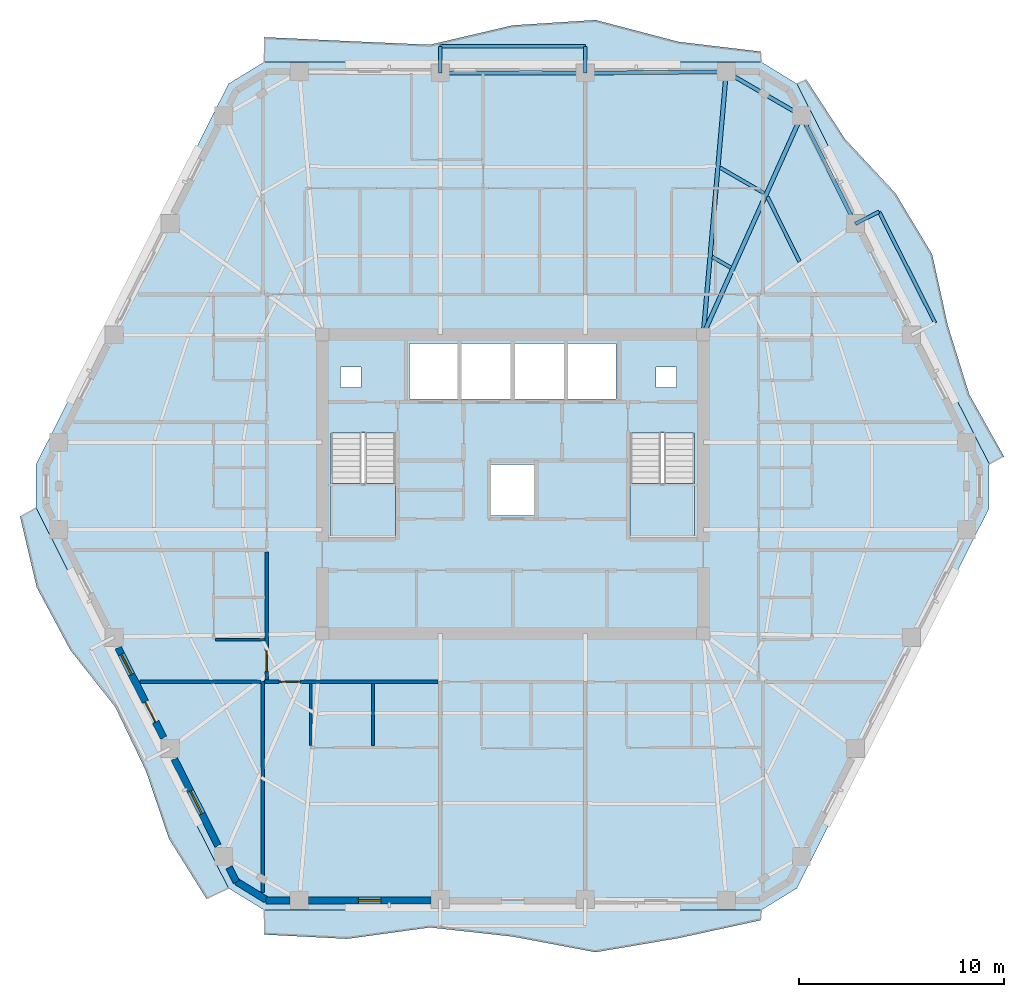
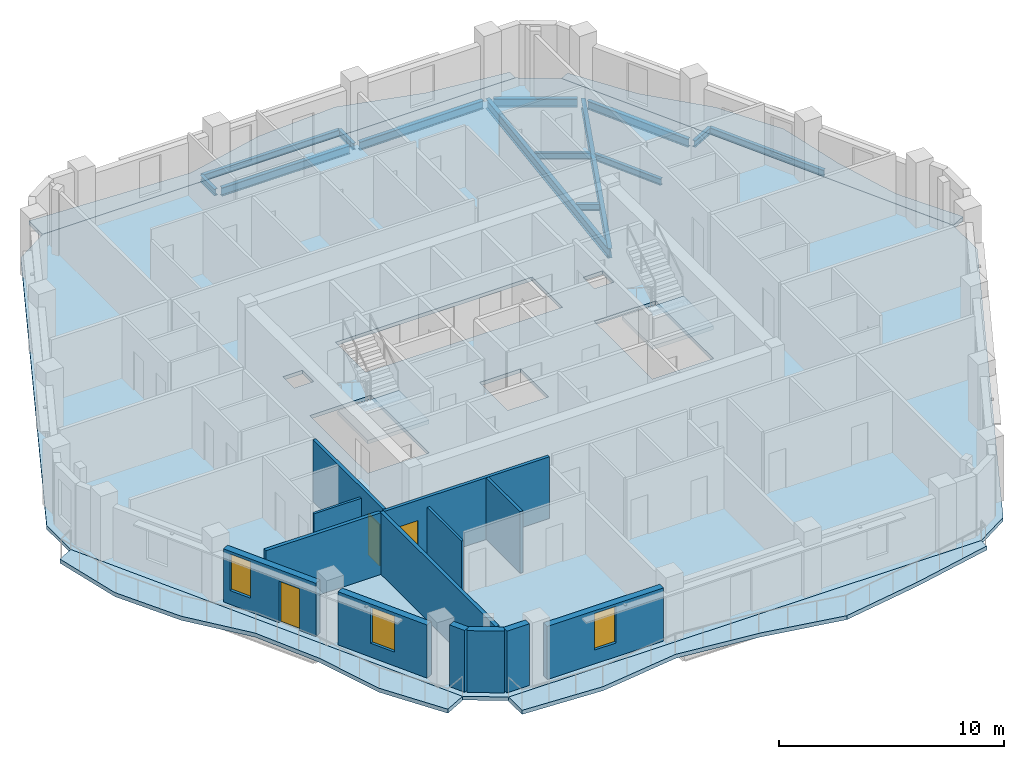
# One storey, part 3 of 11: 14 beams, 13 walls, 7 slabs, 3 doors, 3 windows, 6 openings, 2 elements without a shape of their own.
"""IFC4 building model written with IfcOpenShell, lengths in metres."""

from ifc_helpers import new_model, si_unit, direction, frame, frame_2d, origin, origin_2d, place, context, subcontext, project, spatial, polyline, rectangle, i_section, outline, extrude, material, layer, layer_set, material_profile, profile_set, type_object, element, fill, aggregate, save


model = new_model("IFC4")

# Units and contexts
model_context = context("Model", 3, precision=1e-05, world=origin(), true_north=direction((0.0, 1.0)))
body_context = subcontext(model_context, "Body", "Model", "MODEL_VIEW")
ifc_project = project(units=[si_unit("LENGTHUNIT", "METRE"), si_unit("AREAUNIT", "SQUARE_METRE"), si_unit("VOLUMEUNIT", "CUBIC_METRE"), si_unit("PLANEANGLEUNIT", "RADIAN"), si_unit("MASSUNIT", "GRAM", prefix="KILO")], contexts=[model_context])

# Site, building, storey
site_placement = place(None, origin())
site = spatial("IfcSite", under=ifc_project, at=site_placement, CompositionType="ELEMENT")
building_placement = place(site_placement, origin())
building = spatial("IfcBuilding", under=site, at=building_placement, Name="Cinnabar Lancet Tower", CompositionType="ELEMENT")
storey_placement = place(building_placement, frame((0.0, 0.0, 200.300048828125)))
storey = spatial("IfcBuildingStorey", under=building, at=storey_placement, Name="L53", CompositionType="ELEMENT", Elevation=200.300048828125)

# Beams
ifc_material_1 = material(Name="Structural steel S355", Category="steel")
ifc_material_profile_1 = material_profile(ifc_material_1, i_section(OverallWidth=0.17138671875, OverallDepth=0.35498046875, WebThickness=0.00732421875, FlangeThickness=0.011474609375, FilletRadius=0.01025390625, at=origin_2d()), Name="UKB 356x171x51")
ifc_profile_set_1 = profile_set([ifc_material_profile_1], Name="Structural steel S355")
beam_type_1 = type_object("IfcBeamType", Name="STR-BM-JST-356", PredefinedType="JOIST", material=ifc_profile_set_1)
beam_1_placement = place(storey_placement, frame((46.40087890625, 36.75, -0.3779296875), z_axis=(-0.444780091128, 0.895639810714, 0.0), x_axis=(-0.895639810714, -0.444780091128, 0.0)))
element("IfcBeam", 1, at=beam_1_placement, inside=storey, type_object=beam_type_1, Name="L53 Secondary Floor Joist 29", PredefinedType="JOIST", context=body_context, shape_type="SweptSolid", body=[
    extrude(i_section(OverallWidth=0.17138671875, OverallDepth=0.35498046875, WebThickness=0.00732421875, FlangeThickness=0.011474609375, FilletRadius=0.01025390625, at=origin_2d()), origin(), (0.0, 0.0, 1.0), 3.533935546875),
])
beam_2_placement = place(storey_placement, frame((44.677978515625, 40.089111328125, -0.3779296875), z_axis=(-0.865267839663, 0.501309849937, 0.0), x_axis=(-0.501309849937, -0.865267839663, 0.0)))
element("IfcBeam", 2, at=beam_2_placement, inside=storey, type_object=beam_type_1, Name="L53 Secondary Floor Joist 31", PredefinedType="JOIST", context=body_context, shape_type="SweptSolid", body=[
    extrude(i_section(OverallWidth=0.17138671875, OverallDepth=0.35498046875, WebThickness=0.00732421875, FlangeThickness=0.011474609375, FilletRadius=0.01025390625, at=origin_2d()), origin(), (0.0, 0.0, 1.0), 2.497314453125),
])
beam_3_placement = place(storey_placement, frame((43.047119140625, 36.45703125, -0.3779296875), z_axis=(-0.8651881055, 0.501447446998, 0.0), x_axis=(-0.501447446998, -0.8651881055, 0.0)))
element("IfcBeam", 3, at=beam_3_placement, inside=storey, type_object=beam_type_1, Name="L53 Secondary Floor Joist 32", PredefinedType="JOIST", context=body_context, shape_type="SweptSolid", body=[
    extrude(i_section(OverallWidth=0.17138671875, OverallDepth=0.35498046875, WebThickness=0.00732421875, FlangeThickness=0.011474609375, FilletRadius=0.01025390625, at=origin_2d()), origin(), (0.0, 0.0, 1.0), 1.05322265625),
])
ifc_material_2 = material(Name="Structural steel S355", Category="steel")
ifc_material_profile_2 = material_profile(ifc_material_2, i_section(OverallWidth=0.1904296875, OverallDepth=0.45703125, WebThickness=0.009033203125, FlangeThickness=0.014404296875, FilletRadius=0.01025390625, at=origin_2d()), Name="UKB 457x191x74")
ifc_profile_set_2 = profile_set([ifc_material_profile_2], Name="Structural steel S355")
beam_type_2 = type_object("IfcBeamType", Name="STR-BM-SPN-457", PredefinedType="SPANDREL", material=ifc_profile_set_2)
beam_4_placement = place(storey_placement, frame((49.008056640625, 38.822998046875, -0.428955078125), z_axis=(-0.444932986899, 0.895563865489, 0.0), x_axis=(-0.895563865489, -0.444932986899, 0.0)))
element("IfcBeam", 4, at=beam_4_placement, inside=storey, type_object=beam_type_2, Name="L53 Perimeter Spandrel 11", PredefinedType="SPANDREL", context=body_context, shape_type="SweptSolid", body=[
    extrude(i_section(OverallWidth=0.1904296875, OverallDepth=0.45703125, WebThickness=0.009033203125, FlangeThickness=0.014404296875, FilletRadius=0.01025390625, at=origin_2d()), origin(), (0.0, 0.0, 1.0), 5.398681640625),
])
beam_5_placement = place(storey_placement, frame((46.279052734375, 44.007080078125, -0.428955078125), z_axis=(-0.865195717586, 0.501434313016, 0.0), x_axis=(-0.501434313016, -0.865195717586, 0.0)))
element("IfcBeam", 5, at=beam_5_placement, inside=storey, type_object=beam_type_2, Name="L53 Perimeter Spandrel 12", PredefinedType="SPANDREL", context=body_context, shape_type="SweptSolid", body=[
    extrude(i_section(OverallWidth=0.1904296875, OverallDepth=0.45703125, WebThickness=0.009033203125, FlangeThickness=0.014404296875, FilletRadius=0.01025390625, at=origin_2d()), origin(), (0.0, 0.0, 1.0), 3.7470703125),
])
beam_6_placement = place(storey_placement, frame((42.571044921875, 46.009033203125, -0.428955078125), z_axis=(-0.999970401924, -0.007693846685, 0.0), x_axis=(0.007693846685, -0.999970401924, 0.0)))
element("IfcBeam", 6, at=beam_6_placement, inside=storey, type_object=beam_type_2, Name="L53 Perimeter Spandrel 13", PredefinedType="SPANDREL", context=body_context, shape_type="SweptSolid", body=[
    extrude(i_section(OverallWidth=0.1904296875, OverallDepth=0.45703125, WebThickness=0.009033203125, FlangeThickness=0.014404296875, FilletRadius=0.01025390625, at=origin_2d()), origin(), (0.0, 0.0, 1.0), 6.378173828125),
])
beam_7_placement = place(storey_placement, frame((35.693115234375, 45.9580078125, -0.428955078125), z_axis=(-1.0, 0.0, 0.0), x_axis=(0.0, -1.0, 0.0)))
element("IfcBeam", 7, at=beam_7_placement, inside=storey, type_object=beam_type_2, Name="L53 Perimeter Spandrel 14", PredefinedType="SPANDREL", context=body_context, shape_type="SweptSolid", body=[
    extrude(i_section(OverallWidth=0.1904296875, OverallDepth=0.45703125, WebThickness=0.009033203125, FlangeThickness=0.014404296875, FilletRadius=0.01025390625, at=origin_2d()), origin(), (0.0, 0.0, 1.0), 6.586181640625),
])
ifc_material_3 = material(Name="Structural steel S355", Category="steel")
ifc_material_profile_3 = material_profile(ifc_material_3, i_section(OverallWidth=0.209228515625, OverallDepth=0.533203125, WebThickness=0.010009765625, FlangeThickness=0.015625, FilletRadius=0.0126953125, at=origin_2d()), Name="UKB 533x210x92")
ifc_profile_set_3 = profile_set([ifc_material_profile_3], Name="Structural steel S355")
beam_type_3 = type_object("IfcBeamType", Name="STR-BM-UKB533-92", PredefinedType="BEAM", material=ifc_profile_set_3)
beam_8_placement = place(storey_placement, frame((46.4951171875, 43.882080078125, -0.467041015625), z_axis=(-0.409527011626, -0.912297992297, 0.0), x_axis=(0.912297992297, -0.409527011626, 0.0)))
element("IfcBeam", 8, at=beam_8_placement, inside=storey, type_object=beam_type_3, Name="L53 Primary Floor Girder 12", PredefinedType="BEAM", context=body_context, shape_type="SweptSolid", body=[
    extrude(i_section(OverallWidth=0.209228515625, OverallDepth=0.533203125, WebThickness=0.010009765625, FlangeThickness=0.015625, FilletRadius=0.0126953125, at=origin_2d()), origin(), (0.0, 0.0, 1.0), 11.708984375),
])
beam_9_placement = place(storey_placement, frame((42.821044921875, 46.010986328125, -0.467041015625), z_axis=(-0.087176841412, -0.996192851973, 0.0), x_axis=(0.996192851973, -0.087176841412, 0.0)))
element("IfcBeam", 9, at=beam_9_placement, inside=storey, type_object=beam_type_3, Name="L53 Primary Floor Girder 13", PredefinedType="BEAM", context=body_context, shape_type="SweptSolid", body=[
    extrude(i_section(OverallWidth=0.209228515625, OverallDepth=0.533203125, WebThickness=0.010009765625, FlangeThickness=0.015625, FilletRadius=0.0126953125, at=origin_2d()), origin(), (0.0, 0.0, 1.0), 12.860107421875),
])
ifc_material_4 = material(Name="Structural steel S355", Category="steel")
ifc_material_profile_4 = material_profile(ifc_material_4, i_section(OverallWidth=0.17138671875, OverallDepth=0.35498046875, WebThickness=0.00732421875, FlangeThickness=0.011474609375, FilletRadius=0.01025390625, at=origin_2d()), Name="UKB 356x171x51")
ifc_profile_set_4 = profile_set([ifc_material_profile_4], Name="Structural steel S355")
beam_type_4 = type_object("IfcBeamType", Name="STR-BM-WAV-OUT", PredefinedType="BEAM", material=ifc_profile_set_4)
for number, where, z_axis, x_axis, name in (
    (10, (49.118896484375, 38.59912109375, -0.39697265625), (0.892314203325, 0.451414845285, 0.0), (-0.451414845285, 0.892314203325, 0.0), "L53 Face 3 Balcony Outlooker B"),
    (11, (35.943115234375, 45.9580078125, -0.39697265625), (0.0, 1.0, 0.0), (-1.0, 0.0, 0.0), "L53 Face 4 Balcony Outlooker A"),
    (12, (28.85693359375, 45.9580078125, -0.39697265625), (0.0, 1.0, 0.0), (-1.0, 0.0, 0.0), "L53 Face 4 Balcony Outlooker B"),
):
    element("IfcBeam", number, at=place(storey_placement, frame(where, z_axis=z_axis, x_axis=x_axis)), inside=storey, type_object=beam_type_4, Name=name, PredefinedType="BEAM", context=body_context, shape_type="SweptSolid", body=[
        extrude(i_section(OverallWidth=0.17138671875, OverallDepth=0.35498046875, WebThickness=0.00732421875, FlangeThickness=0.011474609375, FilletRadius=0.01025390625, at=origin_2d()), origin(), (0.0, 0.0, 1.0), 1.300048828125),
    ])
ifc_material_5 = material(Name="Structural steel S355", Category="steel")
ifc_material_profile_5 = material_profile(ifc_material_5, i_section(OverallWidth=0.17138671875, OverallDepth=0.35498046875, WebThickness=0.00732421875, FlangeThickness=0.011474609375, FilletRadius=0.01025390625, at=origin_2d()), Name="UKB 356x171x51")
ifc_profile_set_5 = profile_set([ifc_material_profile_5], Name="Structural steel S355")
beam_type_5 = type_object("IfcBeamType", Name="STR-BM-WAV-TRIM", PredefinedType="SPANDREL", material=ifc_profile_set_5)
beam_10_placement = place(storey_placement, frame((53.01806640625, 33.758056640625, -0.39697265625), z_axis=(-0.450503306898, 0.892774759093, 0.0), x_axis=(-0.892774759093, -0.450503306898, 0.0)))
element("IfcBeam", 13, at=beam_10_placement, inside=storey, type_object=beam_type_5, Name="L53 Face 3 Balcony Edge Trimmer", PredefinedType="SPANDREL", context=body_context, shape_type="SweptSolid", body=[
    extrude(i_section(OverallWidth=0.17138671875, OverallDepth=0.35498046875, WebThickness=0.00732421875, FlangeThickness=0.011474609375, FilletRadius=0.01025390625, at=origin_2d()), origin(), (0.0, 0.0, 1.0), 6.079833984375),
])
beam_11_placement = place(storey_placement, frame((35.943115234375, 47.258056640625, -0.39697265625), z_axis=(-1.0, 0.0, 0.0), x_axis=(0.0, -1.0, 0.0)))
element("IfcBeam", 14, at=beam_11_placement, inside=storey, type_object=beam_type_5, Name="L53 Face 4 Balcony Edge Trimmer", PredefinedType="SPANDREL", context=body_context, shape_type="SweptSolid", body=[
    extrude(i_section(OverallWidth=0.17138671875, OverallDepth=0.35498046875, WebThickness=0.00732421875, FlangeThickness=0.011474609375, FilletRadius=0.01025390625, at=origin_2d()), origin(), (0.0, 0.0, 1.0), 7.086181640625),
])

# Stair, slab
ifc_material_6 = material(Name="Concrete C40/50", Category="concrete")
stair_type = type_object("IfcStairType", Name="ST-CORE", PredefinedType="HALF_TURN_STAIR", material=ifc_material_6)
stair_1_placement = place(storey_placement, origin())
stair_1 = element("IfcStair", 15, at=stair_1_placement, inside=storey, type_object=stair_type, Name="L53 ST-1", PredefinedType="HALF_TURN_STAIR")
ifc_material_7 = material(Name="Concrete C40/50", Category="concrete")
ifc_layer_1 = layer(ifc_material_7, 0.199951171875)
ifc_layer_set_1 = layer_set([ifc_layer_1], Name="Concrete C40/50")
slab_type_1 = type_object("IfcSlabType", Name="LANDING-CORE", PredefinedType="LANDING", material=ifc_layer_set_1)
slab_1_placement = place(storey_placement, frame((0.0, 0.0, 1.574951171875)))
slab_1 = element("IfcSlab", 16, at=slab_1_placement, type_object=slab_type_1, Name="ST-1 landing 1", PredefinedType="LANDING", context=body_context, shape_type="SweptSolid", body=[
    extrude(outline(polyline([(23.52490234375, 25.925048828125), (23.52490234375, 23.25), (26.675048828125, 23.25), (26.675048828125, 25.925048828125), (23.52490234375, 25.925048828125)])), origin(), (0.0, 0.0, 1.0), 0.199951171875),
])
aggregate(stair_1, [slab_1])

stair_2_placement = place(storey_placement, origin())
stair_2 = element("IfcStair", 17, at=stair_2_placement, inside=storey, type_object=stair_type, Name="L53 ST-2", PredefinedType="HALF_TURN_STAIR")
slab_2_placement = place(storey_placement, frame((0.0, 0.0, 1.574951171875)))
slab_2 = element("IfcSlab", 18, at=slab_2_placement, type_object=slab_type_1, Name="ST-2 landing 1", PredefinedType="LANDING", context=body_context, shape_type="SweptSolid", body=[
    extrude(outline(polyline([(38.125, 25.925048828125), (38.125, 23.25), (41.27490234375, 23.25), (41.27490234375, 25.925048828125), (38.125, 25.925048828125)])), origin(), (0.0, 0.0, 1.0), 0.199951171875),
])
aggregate(stair_2, [slab_2])

# Slabs
ifc_material_8 = material(Name="Concrete C40/50", Category="concrete")
ifc_layer_2 = layer(ifc_material_8, 0.199951171875)
ifc_layer_set_2 = layer_set([ifc_layer_2], Name="Concrete C40/50")
slab_type_2 = type_object("IfcSlabType", Name="STR-SLB-FLR-200", PredefinedType="FLOOR", material=ifc_layer_set_2)
slab_3_placement = place(storey_placement, frame((0.0, 0.0, -0.199951171875)))
element("IfcSlab", 19, at=slab_3_placement, inside=storey, type_object=slab_type_2, Name="L53 Structural Floor Slab", PredefinedType="FLOOR", context=body_context, shape_type="SweptSolid", body=[
    extrude(outline(polyline([(18.530029296875, 6.1708984375), (20.27197265625, 5.10009765625), (44.528076171875, 5.10009765625), (46.27001953125, 6.1708984375), (55.657958984375, 24.72900390625), (55.657958984375, 26.87109375), (46.27001953125, 45.428955078125), (44.528076171875, 46.5), (20.27197265625, 46.5), (18.530029296875, 45.428955078125), (9.14208984375, 26.87109375), (9.14208984375, 24.72900390625), (18.530029296875, 6.1708984375)]), holes=[polyline([(23.52490234375, 23.25), (26.675048828125, 23.25), (26.675048828125, 28.3994140625), (23.52490234375, 28.3994140625), (23.52490234375, 23.25)]), polyline([(38.125, 23.25), (41.27490234375, 23.25), (41.27490234375, 28.3994140625), (38.125, 28.3994140625), (38.125, 23.25)]), polyline([(27.35009765625, 30.050048828125), (37.449951171875, 30.050048828125), (37.449951171875, 32.75), (27.35009765625, 32.75), (27.35009765625, 30.050048828125)]), polyline([(31.35009765625, 24.35009765625), (33.449951171875, 24.35009765625), (33.449951171875, 26.85009765625), (31.35009765625, 26.85009765625), (31.35009765625, 24.35009765625)]), polyline([(24.0, 30.60009765625), (25.0, 30.60009765625), (25.0, 31.60009765625), (24.0, 31.60009765625), (24.0, 30.60009765625)]), polyline([(39.39990234375, 30.60009765625), (40.39990234375, 30.60009765625), (40.39990234375, 31.60009765625), (39.39990234375, 31.60009765625), (39.39990234375, 30.60009765625)])]), origin(), (0.0, 0.0, 1.0), 0.199951171875),
])
ifc_material_9 = material(Name="Concrete C45/55", Category="concrete")
ifc_layer_3 = layer(ifc_material_9, 0.219970703125)
ifc_layer_set_3 = layer_set([ifc_layer_3], Name="Concrete C45/55")
slab_type_3 = type_object("IfcSlabType", Name="STR-SLB-WAV-220", PredefinedType="FLOOR", material=ifc_layer_set_3)
slab_4_placement = place(storey_placement, frame((0.0, 0.0, -0.219970703125)))
element("IfcSlab", 20, at=slab_4_placement, inside=storey, type_object=slab_type_3, Name="L53 Face 1 Undulating Wave Balcony Slab", PredefinedType="FLOOR", context=body_context, shape_type="SweptSolid", body=[
    extrude(outline(polyline([(20.27197265625, 5.10009765625), (20.27197265625, 3.907958984375), (24.31494140625, 3.698974609375), (28.35693359375, 4.25390625), (32.39990234375, 3.80908203125), (36.443115234375, 3.0458984375), (40.485107421875, 3.73193359375), (44.528076171875, 4.613037109375), (44.528076171875, 5.10009765625), (20.27197265625, 5.10009765625)])), origin(), (0.0, 0.0, 1.0), 0.219970703125),
])
slab_5_placement = place(storey_placement, frame((0.0, 0.0, -0.219970703125)))
element("IfcSlab", 21, at=slab_5_placement, inside=storey, type_object=slab_type_3, Name="L53 Face 3 Undulating Wave Balcony Slab", PredefinedType="FLOOR", context=body_context, shape_type="SweptSolid", body=[
    extrude(outline(polyline([(55.657958984375, 26.87109375), (56.3779296875, 27.235107421875), (54.68408203125, 30.262939453125), (53.639892578125, 33.618896484375), (52.868896484375, 37.114013671875), (51.075927734375, 40.091064453125), (48.618896484375, 42.73291015625), (46.716064453125, 45.655029296875), (46.27001953125, 45.428955078125), (55.657958984375, 26.87109375)])), origin(), (0.0, 0.0, 1.0), 0.219970703125),
])
slab_6_placement = place(storey_placement, frame((0.0, 0.0, -0.219970703125)))
element("IfcSlab", 22, at=slab_6_placement, inside=storey, type_object=slab_type_3, Name="L53 Face 4 Undulating Wave Balcony Slab", PredefinedType="FLOOR", context=body_context, shape_type="SweptSolid", body=[
    extrude(outline(polyline([(44.528076171875, 46.5), (44.528076171875, 47.0), (40.485107421875, 47.48388671875), (36.443115234375, 48.5458984375), (32.39990234375, 48.287109375), (28.35693359375, 47.337890625), (24.31494140625, 47.51708984375), (20.27197265625, 47.7060546875), (20.27197265625, 46.5), (44.528076171875, 46.5)])), origin(), (0.0, 0.0, 1.0), 0.219970703125),
])
slab_7_placement = place(storey_placement, frame((0.0, 0.0, -0.219970703125)))
element("IfcSlab", 23, at=slab_7_placement, inside=storey, type_object=slab_type_3, Name="L53 Face 6 Undulating Wave Balcony Slab", PredefinedType="FLOOR", context=body_context, shape_type="SweptSolid", body=[
    extrude(outline(polyline([(9.14208984375, 24.72900390625), (8.35107421875, 24.3291015625), (9.1689453125, 20.85791015625), (10.802001953125, 17.800048828125), (12.9951171875, 15.02490234375), (14.4970703125, 11.89990234375), (15.6220703125, 8.583984375), (17.466064453125, 5.633056640625), (18.530029296875, 6.1708984375), (9.14208984375, 24.72900390625)])), origin(), (0.0, 0.0, 1.0), 0.219970703125),
])

# Wall, opening, door
ifc_material_10 = material(Name="Acoustic twin-stud gypsum partition", Category="gypsum")
ifc_layer_4 = layer(ifc_material_10, 0.159912109375)
ifc_layer_set_4 = layer_set([ifc_layer_4], Name="Acoustic twin-stud gypsum partition")
wall_type_1 = type_object("IfcWallType", Name="ARC-WL-CORR-160", PredefinedType="PARTITIONING", material=ifc_layer_set_4)
wall_1_placement = place(storey_placement, frame((20.294921875, 16.25, 0.0), z_axis=(0.0, 0.0, 1.0), x_axis=(1.0, 0.0, 0.0)))
wall_1 = element("IfcWall", 24, at=wall_1_placement, inside=storey, type_object=wall_type_1, Name="L53 Unit S01 Corridor Wall", PredefinedType="PARTITIONING", context=body_context, shape_type="SweptSolid", body=[
    extrude(rectangle(XDim=8.467041015625, YDim=0.159912109375, at=frame_2d((4.2333984375, 0.0))), origin(), (0.0, 0.0, 1.0), 3.349853515625),
])
opening_1_placement = place(wall_1_placement, frame((0.705078125, 0.0, 0.0)))
opening_1 = element("IfcOpeningElement", 25, at=opening_1_placement, cuts=wall_1, Name="Opening UD-01", PredefinedType="OPENING", context=body_context, shape_type="SweptSolid", body=[
    extrude(rectangle(XDim=1.02001953125, YDim=2.25, at=frame_2d((0.510009765625, 1.125))), frame((0.0, 0.08984375, 0.0), z_axis=(0.0, -1.0, 0.0), x_axis=(1.0, 0.0, 0.0)), (0.0, 0.0, 1.0), 0.179931640625),
])
ifc_material_11 = material(Name="Solid timber fire-rated apartment entrance door", Category="wood")
door_type_1 = type_object("IfcDoorType", Name="ARC-DR-UNIT", OperationType="NOTDEFINED", PredefinedType="DOOR", material=ifc_material_11)
door_1_placement = place(opening_1_placement, origin())
door_1 = element("IfcDoor", 26, at=door_1_placement, inside=storey, type_object=door_type_1, Name="DR-L53-S01-ENT", OperationType="SINGLE_SWING_LEFT", OverallHeight=2.25, OverallWidth=1.02001953125, PredefinedType="DOOR", context=body_context, shape_type="SweptSolid", body=[
    extrude(rectangle(XDim=1.02001953125, YDim=2.25, at=frame_2d((0.510009765625, 1.125))), frame((0.0, 0.02490234375, 0.0), z_axis=(0.0, -1.0, 0.0), x_axis=(1.0, 0.0, 0.0)), (0.0, 0.0, 1.0), 0.050048828125),
])
fill(opening_1, door_1)

wall_2_placement = place(storey_placement, frame((20.39990234375, 16.344970703125, 0.0), z_axis=(0.0, 0.0, 1.0), x_axis=(0.0, 1.0, 0.0)))
wall_2 = element("IfcWall", 27, at=wall_2_placement, inside=storey, type_object=wall_type_1, Name="UW-L53-W01-COR", PredefinedType="PARTITIONING", context=body_context, shape_type="SweptSolid", body=[
    extrude(rectangle(XDim=6.236083984375, YDim=0.159912109375, at=frame_2d((3.1181640625, 0.0))), origin(), (0.0, 0.0, 1.0), 3.349853515625),
])
opening_2_placement = place(wall_2_placement, frame((0.39990234375, 0.0, 0.0)))
opening_2 = element("IfcOpeningElement", 28, at=opening_2_placement, cuts=wall_2, Name="Opening UD-01", PredefinedType="OPENING", context=body_context, shape_type="SweptSolid", body=[
    extrude(rectangle(XDim=1.02001953125, YDim=2.25, at=frame_2d((0.510009765625, 1.125))), frame((0.0, 0.08984375, 0.0), z_axis=(0.0, -1.0, 0.0), x_axis=(1.0, 0.0, 0.0)), (0.0, 0.0, 1.0), 0.179931640625),
])
door_2_placement = place(opening_2_placement, origin())
door_2 = element("IfcDoor", 29, at=door_2_placement, inside=storey, type_object=door_type_1, Name="DR-L53-W01-ENT", OperationType="SINGLE_SWING_LEFT", OverallHeight=2.25, OverallWidth=1.02001953125, PredefinedType="DOOR", context=body_context, shape_type="SweptSolid", body=[
    extrude(rectangle(XDim=1.02001953125, YDim=2.25, at=frame_2d((0.510009765625, 1.125))), frame((0.0, 0.02490234375, 0.0), z_axis=(0.0, -1.0, 0.0), x_axis=(1.0, 0.0, 0.0)), (0.0, 0.0, 1.0), 0.050048828125),
])
fill(opening_2, door_2)

# Walls
ifc_material_12 = material(Name="Fire-rated twin-frame acoustic drywall", Category="gypsum")
ifc_layer_5 = layer(ifc_material_12, 0.179931640625)
ifc_layer_set_5 = layer_set([ifc_layer_5], Name="Fire-rated twin-frame acoustic drywall")
wall_type_2 = type_object("IfcWallType", Name="ARC-WL-PARTY-180", PredefinedType="PARTITIONING", material=ifc_layer_set_5)
wall_3_placement = place(storey_placement, frame((20.199951171875, 5.968017578125, 0.0), z_axis=(0.0, 0.0, 1.0), x_axis=(0.0, 1.0, 0.0)))
element("IfcWall", 30, at=wall_3_placement, inside=storey, type_object=wall_type_2, Name="PW-L53-SPTY-202", PredefinedType="PARTITIONING", context=body_context, shape_type="SweptSolid", body=[
    extrude(rectangle(XDim=10.281982421875, YDim=0.179931640625, at=frame_2d((5.14111328125, 0.0))), origin(), (0.0, 0.0, 1.0), 3.349853515625),
])
wall_4_placement = place(storey_placement, frame((14.2109375, 16.25, 0.0), z_axis=(0.0, 0.0, 1.0), x_axis=(1.0, 0.0, 0.0)))
element("IfcWall", 31, at=wall_4_placement, inside=storey, type_object=wall_type_2, Name="PW-L53-WSB", PredefinedType="PARTITIONING", context=body_context, shape_type="SweptSolid", body=[
    extrude(rectangle(XDim=5.89404296875, YDim=0.179931640625, at=frame_2d((2.947021484375, 0.0))), origin(), (0.0, 0.0, 1.0), 3.349853515625),
])
ifc_material_13 = material(Name="Gypsum plasterboard stud partition", Category="gypsum")
ifc_layer_6 = layer(ifc_material_13, 0.125)
ifc_layer_set_6 = layer_set([ifc_layer_6], Name="Gypsum plasterboard stud partition")
wall_type_3 = type_object("IfcWallType", Name="ARC-WL-UNIT-125", PredefinedType="PARTITIONING", material=ifc_layer_set_6)
wall_5_placement = place(storey_placement, frame((22.550048828125, 13.138916015625, 0.0), z_axis=(0.0, 0.0, 1.0), x_axis=(0.0, 1.0, 0.0)))
element("IfcWall", 32, at=wall_5_placement, inside=storey, type_object=wall_type_3, Name="UW-L53-S01-FOYE", PredefinedType="PARTITIONING", context=body_context, shape_type="SweptSolid", body=[
    extrude(rectangle(XDim=3.026123046875, YDim=0.125, at=frame_2d((1.51318359375, 0.0))), origin(), (0.0, 0.0, 1.0), 2.806884765625),
])
wall_6_placement = place(storey_placement, frame((17.885009765625, 18.300048828125, 0.0), z_axis=(0.0, 0.0, 1.0), x_axis=(1.0, 0.0, 0.0)))
element("IfcWall", 33, at=wall_6_placement, inside=storey, type_object=wall_type_3, Name="UW-L53-W01-FOYN", PredefinedType="PARTITIONING", context=body_context, shape_type="SweptSolid", body=[
    extrude(rectangle(XDim=2.429931640625, YDim=0.125, at=frame_2d((1.21484375, 0.0))), origin(), (0.0, 0.0, 1.0), 2.806884765625),
])
ifc_material_14 = material(Name="Moisture-resistant cement-board plumbing wall", Category="masonry")
ifc_layer_7 = layer(ifc_material_14, 0.139892578125)
ifc_layer_set_7 = layer_set([ifc_layer_7], Name="Moisture-resistant cement-board plumbing wall")
wall_type_4 = type_object("IfcWallType", Name="ARC-WL-WET-140", PredefinedType="PLUMBINGWALL", material=ifc_layer_set_7)
wall_7_placement = place(storey_placement, frame((25.576904296875, 13.138916015625, 0.0), z_axis=(0.0, 0.0, 1.0), x_axis=(0.0, 1.0, 0.0)))
element("IfcWall", 34, at=wall_7_placement, inside=storey, type_object=wall_type_4, Name="UW-L53-S01-KDV", PredefinedType="PLUMBINGWALL", context=body_context, shape_type="SweptSolid", body=[
    extrude(rectangle(XDim=3.026123046875, YDim=0.139892578125, at=frame_2d((1.51318359375, 0.0))), origin(), (0.0, 0.0, 1.0), 3.349853515625),
])
ifc_material_15 = material(Name="Cinnabar red clay brick", Category="masonry")
ifc_layer_8 = layer(ifc_material_15, 0.340087890625)
ifc_layer_set_8 = layer_set([ifc_layer_8], Name="Cinnabar red clay brick")
wall_type_5 = type_object("IfcWallType", Name="ENV-WL-BRK-RED-340", PredefinedType="STANDARD", material=ifc_layer_set_8)
wall_8_placement = place(storey_placement, frame((18.93798828125, 6.48388671875, 0.0), z_axis=(0.0, 0.0, 1.0), x_axis=(0.851778214877, -0.523902541185, 0.0)))
element("IfcWall", 35, at=wall_8_placement, inside=storey, type_object=wall_type_5, Name="L53 Chamfered Corner Brick Pier 1.1", PredefinedType="STANDARD", context=body_context, shape_type="SweptSolid", body=[
    extrude(rectangle(XDim=1.677734375, YDim=0.340087890625, at=frame_2d((0.8388671875, 0.0))), origin(), (0.0, 0.0, 1.0), 3.349853515625),
])
wall_9_placement = place(storey_placement, frame((20.362060546875, 5.580078125, 0.0), z_axis=(0.0, 0.0, 1.0), x_axis=(1.0, 0.0, 0.0)))
element("IfcWall", 36, at=wall_9_placement, inside=storey, type_object=wall_type_5, Name="L53 Face 1 Masonry Bay Wall 1", PredefinedType="STANDARD", context=body_context, shape_type="SweptSolid", body=[
    extrude(rectangle(XDim=1.162841796875, YDim=0.340087890625, at=frame_2d((0.58154296875, 0.0))), origin(), (0.0, 0.0, 1.0), 3.349853515625),
])

# Wall, opening, window
wall_10_placement = place(storey_placement, frame((22.43310546875, 5.580078125, 0.0), z_axis=(0.0, 0.0, 1.0), x_axis=(1.0, 0.0, 0.0)))
wall_10 = element("IfcWall", 37, at=wall_10_placement, inside=storey, type_object=wall_type_5, Name="L53 Face 1 Masonry Bay Wall 2", PredefinedType="STANDARD", context=body_context, shape_type="SweptSolid", body=[
    extrude(rectangle(XDim=5.969970703125, YDim=0.340087890625, at=frame_2d((2.98486328125, 0.0))), origin(), (0.0, 0.0, 1.0), 2.883056640625),
])
opening_3_placement = place(wall_10_placement, frame((2.43505859375, 0.0, 0.75)))
opening_3 = element("IfcOpeningElement", 38, at=opening_3_placement, cuts=wall_10, Name="Opening WN-04", PredefinedType="OPENING", context=body_context, shape_type="SweptSolid", body=[
    extrude(rectangle(XDim=1.10009765625, YDim=1.98291015625, at=frame_2d((0.550048828125, 0.991455078125))), frame((0.0, 0.179931640625, 0.0), z_axis=(0.0, -1.0, 0.0), x_axis=(1.0, 0.0, 0.0)), (0.0, 0.0, 1.0), 0.360107421875),
])
ifc_material_16 = material(Name="Thermally broken bronze-anodized aluminium tall lancet window", Category="aluminium")
window_type_1 = type_object("IfcWindowType", Name="ENV-WN-LANCET-1100", PartitioningType="SINGLE_PANEL", PredefinedType="WINDOW", material=ifc_material_16)
window_1_placement = place(opening_3_placement, origin())
window_1 = element("IfcWindow", 39, at=window_1_placement, inside=storey, type_object=window_type_1, Name="L53 Face 1 Gothic Lancet Window 2", OverallHeight=1.98291015625, OverallWidth=1.10009765625, PartitioningType="SINGLE_PANEL", PredefinedType="WINDOW", context=body_context, shape_type="SweptSolid", body=[
    extrude(rectangle(XDim=1.10009765625, YDim=1.98291015625, at=frame_2d((0.550048828125, 0.991455078125))), frame((0.0, 0.030029296875, 0.0), z_axis=(0.0, -1.0, 0.0), x_axis=(1.0, 0.0, 0.0)), (0.0, 0.0, 1.0), 0.06005859375),
])
fill(opening_3, window_1)

# Wall, openings, door, window
wall_11_placement = place(storey_placement, frame((13.135009765625, 17.89794921875, 0.0), z_axis=(0.0, 0.0, 1.0), x_axis=(0.451544279509, -0.892248711763, 0.0)))
wall_11 = element("IfcWall", 40, at=wall_11_placement, inside=storey, type_object=wall_type_5, Name="L53 Face 6 Masonry Bay Wall 3", PredefinedType="STANDARD", context=body_context, shape_type="SweptSolid", body=[
    extrude(rectangle(XDim=4.909912109375, YDim=0.340087890625, at=frame_2d((2.455078125, 0.0))), origin(), (0.0, 0.0, 1.0), 2.883056640625),
])
opening_4_placement = place(wall_11_placement, frame((2.9541015625, 0.0, 0.0)))
opening_4 = element("IfcOpeningElement", 41, at=opening_4_placement, cuts=wall_11, Name="Opening TD-01", PredefinedType="OPENING", context=body_context, shape_type="SweptSolid", body=[
    extrude(rectangle(XDim=1.10009765625, YDim=2.25, at=frame_2d((0.550048828125, 1.125))), frame((0.0, 0.179931640625, 0.0), z_axis=(0.0, -1.0, 0.0), x_axis=(1.0, 0.0, 0.0)), (0.0, 0.0, 1.0), 0.360107421875),
])
opening_5_placement = place(wall_11_placement, frame((0.35302734375, 0.0, 0.75)))
opening_5 = element("IfcOpeningElement", 42, at=opening_5_placement, cuts=wall_11, Name="Opening WN-04", PredefinedType="OPENING", context=body_context, shape_type="SweptSolid", body=[
    extrude(rectangle(XDim=1.10009765625, YDim=1.98291015625, at=frame_2d((0.550048828125, 0.991455078125))), frame((0.0, 0.179931640625, 0.0), z_axis=(0.0, -1.0, 0.0), x_axis=(1.0, 0.0, 0.0)), (0.0, 0.0, 1.0), 0.360107421875),
])
ifc_material_17 = material(Name="Thermally broken low-E glazed balcony terrace door", Category="wood")
door_type_2 = type_object("IfcDoorType", Name="ARC-DR-BALC", OperationType="NOTDEFINED", PredefinedType="DOOR", material=ifc_material_17)
door_3_placement = place(opening_4_placement, origin())
door_3 = element("IfcDoor", 43, at=door_3_placement, inside=storey, type_object=door_type_2, Name="L53 Face 6 Glazed Terrace Door", OperationType="SINGLE_SWING_RIGHT", OverallHeight=2.25, OverallWidth=1.10009765625, PredefinedType="DOOR", context=body_context, shape_type="SweptSolid", body=[
    extrude(rectangle(XDim=1.10009765625, YDim=2.25, at=frame_2d((0.550048828125, 1.125))), frame((0.0, 0.02490234375, 0.0), z_axis=(0.0, -1.0, 0.0), x_axis=(1.0, 0.0, 0.0)), (0.0, 0.0, 1.0), 0.050048828125),
])
fill(opening_4, door_3)
window_2_placement = place(opening_5_placement, origin())
window_2 = element("IfcWindow", 44, at=window_2_placement, inside=storey, type_object=window_type_1, Name="L53 Split-Bay Gothic Lancet Window 181", OverallHeight=1.98291015625, OverallWidth=1.10009765625, PartitioningType="SINGLE_PANEL", PredefinedType="WINDOW", context=body_context, shape_type="SweptSolid", body=[
    extrude(rectangle(XDim=1.10009765625, YDim=1.98291015625, at=frame_2d((0.550048828125, 0.991455078125))), frame((0.0, 0.030029296875, 0.0), z_axis=(0.0, -1.0, 0.0), x_axis=(1.0, 0.0, 0.0)), (0.0, 0.0, 1.0), 0.06005859375),
])
fill(opening_5, window_2)

# Wall, opening, window
wall_12_placement = place(storey_placement, frame((15.881103515625, 12.469970703125, 0.0), z_axis=(0.0, 0.0, 1.0), x_axis=(0.451522864045, -0.892259549259, 0.0)))
wall_12 = element("IfcWall", 45, at=wall_12_placement, inside=storey, type_object=wall_type_5, Name="L53 Face 6 Masonry Bay Wall 4", PredefinedType="STANDARD", context=body_context, shape_type="SweptSolid", body=[
    extrude(rectangle(XDim=4.730712890625, YDim=0.340087890625, at=frame_2d((2.365234375, 0.0))), origin(), (0.0, 0.0, 1.0), 2.883056640625),
])
opening_6_placement = place(wall_12_placement, frame((1.739990234375, 0.0, 0.75)))
opening_6 = element("IfcOpeningElement", 46, at=opening_6_placement, cuts=wall_12, Name="Opening WN-03", PredefinedType="OPENING", context=body_context, shape_type="SweptSolid", body=[
    extrude(rectangle(XDim=1.25, YDim=1.949951171875, at=frame_2d((0.625, 0.97509765625))), frame((0.0, 0.179931640625, 0.0), z_axis=(0.0, -1.0, 0.0), x_axis=(1.0, 0.0, 0.0)), (0.0, 0.0, 1.0), 0.360107421875),
])
ifc_material_18 = material(Name="Thermally broken bronze-anodized aluminium low-E double glazing", Category="aluminium")
window_type_2 = type_object("IfcWindowType", Name="ENV-WN-LANCET-1250", PartitioningType="SINGLE_PANEL", PredefinedType="WINDOW", material=ifc_material_18)
window_3_placement = place(opening_6_placement, origin())
window_3 = element("IfcWindow", 47, at=window_3_placement, inside=storey, type_object=window_type_2, Name="L53 Face 6 Gothic Lancet Window 4", OverallHeight=1.949951171875, OverallWidth=1.25, PartitioningType="SINGLE_PANEL", PredefinedType="WINDOW", context=body_context, shape_type="SweptSolid", body=[
    extrude(rectangle(XDim=1.25, YDim=1.949951171875, at=frame_2d((0.625, 0.97509765625))), frame((0.0, 0.030029296875, 0.0), z_axis=(0.0, -1.0, 0.0), x_axis=(1.0, 0.0, 0.0)), (0.0, 0.0, 1.0), 0.06005859375),
])
fill(opening_6, window_3)

# Wall
wall_13_placement = place(storey_placement, frame((18.553955078125, 7.18701171875, 0.0), z_axis=(0.0, 0.0, 1.0), x_axis=(0.451691568309, -0.892174157392, 0.0)))
element("IfcWall", 48, at=wall_13_placement, inside=storey, type_object=wall_type_5, Name="L53 Face 6 Masonry Bay Wall 5", PredefinedType="STANDARD", context=body_context, shape_type="SweptSolid", body=[
    extrude(rectangle(XDim=0.805908203125, YDim=0.340087890625, at=frame_2d((0.40283203125, 0.0))), origin(), (0.0, 0.0, 1.0), 3.349853515625),
])

save(model, "model.ifc")
